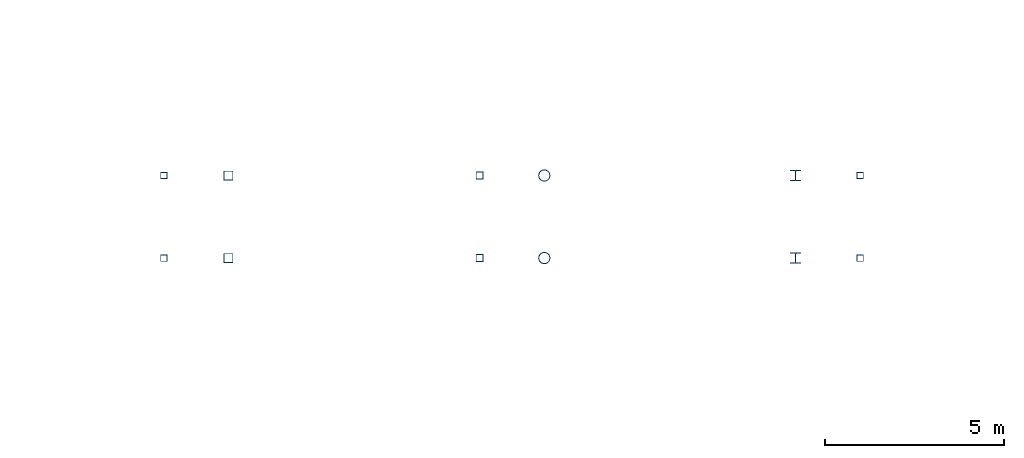
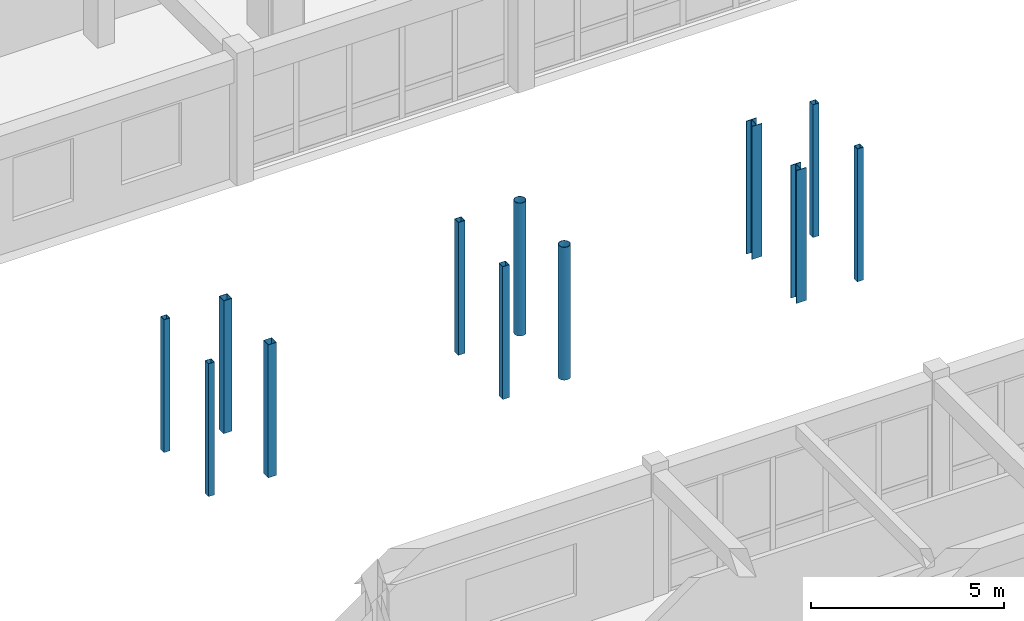
# One storey, part 22 of 90: 12 columns.
"""IFC4 building model written with IfcOpenShell, lengths in metres."""

from ifc_helpers import new_model, si_unit, direction, frame, origin, origin_2d, place, context, subcontext, project, spatial, hollow_rectangle, hollow_circle, i_section, extrude, material, material_profile, profile_set, type_object, element, save


model = new_model("IFC4")

# Units and contexts
model_context = context("Model", 3, precision=1e-05, world=origin(), true_north=direction((0.0, 1.0)))
body_context = subcontext(model_context, "Body", "Model", "MODEL_VIEW")
ifc_project = project(units=[si_unit("LENGTHUNIT", "METRE"), si_unit("AREAUNIT", "SQUARE_METRE"), si_unit("VOLUMEUNIT", "CUBIC_METRE"), si_unit("PLANEANGLEUNIT", "RADIAN"), si_unit("MASSUNIT", "GRAM", prefix="KILO")], contexts=[model_context])

# Site, building, storey
site_placement = place(None, origin())
site = spatial("IfcSite", under=ifc_project, at=site_placement, CompositionType="ELEMENT")
building_placement = place(site_placement, origin())
building = spatial("IfcBuilding", under=site, at=building_placement, Name="Malvenik Polytechnic", CompositionType="ELEMENT")
storey_placement = place(building_placement, frame((0.0, 0.0, 9.300048828125)))
storey = spatial("IfcBuildingStorey", under=building, at=storey_placement, Name="L02", CompositionType="ELEMENT", Elevation=9.300048828125)

# Columns
ifc_material_1 = material(Name="Steel S355J2H", Category="steel")
ifc_material_profile_1 = material_profile(ifc_material_1, hollow_rectangle(XDim=0.25, YDim=0.25, WallThickness=0.010009765625, at=origin_2d()), Name="SHS 250x250x10.0")
ifc_profile_set_1 = profile_set([ifc_material_profile_1], Name="Steel S355J2H")
column_type_1 = type_object("IfcColumnType", Name="STR-SCOL-SC-01", PredefinedType="COLUMN", material=ifc_profile_set_1)
for number, where, z_axis, x_axis, name in (
    (1, (103.199951171875, 103.14990234375, 0.0), (0.0, 0.0, 1.0), (1.0, 0.0, 0.0), "Bridge-Ramp Support Column SC-01 L02"),
    (2, (103.199951171875, 105.449951171875, 0.0), (0.0, 0.0, 1.0), (1.0, 0.0, 0.0), "Bridge-Ramp Support Column SC-01 L02"),
):
    element("IfcColumn", number, at=place(storey_placement, frame(where, z_axis=z_axis, x_axis=x_axis)), inside=storey, type_object=column_type_1, Name=name, PredefinedType="COLUMN", context=body_context, shape_type="SweptSolid", body=[
        extrude(hollow_rectangle(XDim=0.25, YDim=0.25, WallThickness=0.010009765625, at=origin_2d()), origin(), (0.0, 0.0, 1.0), 4.199951171875),
    ])
ifc_material_profile_2 = material_profile(ifc_material_1, hollow_rectangle(XDim=0.199951171875, YDim=0.199951171875, WallThickness=0.010009765625, at=origin_2d()), Name="SHS 200x200x10.0")
ifc_profile_set_2 = profile_set([ifc_material_profile_2], Name="Steel S355J2H")
column_type_2 = type_object("IfcColumnType", Name="STR-SCOL-SC-02", PredefinedType="COLUMN", material=ifc_profile_set_2)
for number, where, z_axis, x_axis, name in (
    (3, (110.199951171875, 103.14990234375, 0.0), (0.0, 0.0, 1.0), (1.0, 0.0, 0.0), "Bridge-Ramp Support Column SC-02 L02"),
    (4, (110.199951171875, 105.449951171875, 0.0), (0.0, 0.0, 1.0), (1.0, 0.0, 0.0), "Bridge-Ramp Support Column SC-02 L02"),
):
    element("IfcColumn", number, at=place(storey_placement, frame(where, z_axis=z_axis, x_axis=x_axis)), inside=storey, type_object=column_type_2, Name=name, PredefinedType="COLUMN", context=body_context, shape_type="SweptSolid", body=[
        extrude(hollow_rectangle(XDim=0.199951171875, YDim=0.199951171875, WallThickness=0.010009765625, at=origin_2d()), origin(), (0.0, 0.0, 1.0), 4.199951171875),
    ])
ifc_material_profile_3 = material_profile(ifc_material_1, hollow_circle(Radius=0.161865234375, WallThickness=0.012451171875, at=origin_2d()), Name="CHS 323.9x12.5")
ifc_profile_set_3 = profile_set([ifc_material_profile_3], Name="Steel S355J2H")
column_type_3 = type_object("IfcColumnType", Name="STR-SCOL-SC-04", PredefinedType="COLUMN", material=ifc_profile_set_3)
for number, where, z_axis, x_axis, name in (
    (5, (112.0, 103.14990234375, 0.0), (0.0, 0.0, 1.0), (1.0, 0.0, 0.0), "Bridge-Ramp Support Column SC-04 L02"),
    (6, (112.0, 105.449951171875, 0.0), (0.0, 0.0, 1.0), (1.0, 0.0, 0.0), "Bridge-Ramp Support Column SC-04 L02"),
):
    element("IfcColumn", number, at=place(storey_placement, frame(where, z_axis=z_axis, x_axis=x_axis)), inside=storey, type_object=column_type_3, Name=name, PredefinedType="COLUMN", context=body_context, shape_type="SweptSolid", body=[
        extrude(hollow_circle(Radius=0.161865234375, WallThickness=0.012451171875, at=origin_2d()), origin(), (0.0, 0.0, 1.0), 4.199951171875),
    ])
ifc_material_2 = material(Name="Steel S355", Category="steel")
ifc_material_profile_4 = material_profile(ifc_material_2, i_section(OverallWidth=0.300048828125, OverallDepth=0.300048828125, WebThickness=0.010986328125, FlangeThickness=0.01904296875, FilletRadius=0.027099609375, at=origin_2d()), Name="HEB 300")
ifc_profile_set_4 = profile_set([ifc_material_profile_4], Name="Steel S355")
column_type_4 = type_object("IfcColumnType", Name="STR-SCOL-SC-05", PredefinedType="COLUMN", material=ifc_profile_set_4)
for number, where, z_axis, x_axis, name in (
    (7, (119.0, 103.14990234375, 0.0), (0.0, 0.0, 1.0), (1.0, 0.0, 0.0), "Bridge-Ramp Support Column SC-05 L02"),
    (8, (119.0, 105.449951171875, 0.0), (0.0, 0.0, 1.0), (1.0, 0.0, 0.0), "Bridge-Ramp Support Column SC-05 L02"),
):
    element("IfcColumn", number, at=place(storey_placement, frame(where, z_axis=z_axis, x_axis=x_axis)), inside=storey, type_object=column_type_4, Name=name, PredefinedType="COLUMN", context=body_context, shape_type="SweptSolid", body=[
        extrude(i_section(OverallWidth=0.300048828125, OverallDepth=0.300048828125, WebThickness=0.010986328125, FlangeThickness=0.01904296875, FilletRadius=0.027099609375, at=origin_2d()), origin(), (0.0, 0.0, 1.0), 4.199951171875),
    ])
ifc_material_profile_5 = material_profile(ifc_material_1, hollow_rectangle(XDim=0.179931640625, YDim=0.179931640625, WallThickness=0.008056640625, at=origin_2d()), Name="SHS 180x180x8.0")
ifc_profile_set_5 = profile_set([ifc_material_profile_5], Name="Steel S355J2H")
column_type_5 = type_object("IfcColumnType", Name="STR-SCOL-SC-06", PredefinedType="COLUMN", material=ifc_profile_set_5)
for number, where, z_axis, x_axis, name in (
    (9, (101.39990234375, 103.14990234375, 0.0), (0.0, 0.0, 1.0), (1.0, 0.0, 0.0), "Bridge-Ramp Support Column SC-06 L02"),
    (10, (101.39990234375, 105.449951171875, 0.0), (0.0, 0.0, 1.0), (1.0, 0.0, 0.0), "Bridge-Ramp Support Column SC-06 L02"),
    (11, (120.800048828125, 103.14990234375, 0.0), (0.0, 0.0, 1.0), (1.0, 0.0, 0.0), "Bridge-Ramp Support Column SC-06 L02"),
    (12, (120.800048828125, 105.449951171875, 0.0), (0.0, 0.0, 1.0), (1.0, 0.0, 0.0), "Bridge-Ramp Support Column SC-06 L02"),
):
    element("IfcColumn", number, at=place(storey_placement, frame(where, z_axis=z_axis, x_axis=x_axis)), inside=storey, type_object=column_type_5, Name=name, PredefinedType="COLUMN", context=body_context, shape_type="SweptSolid", body=[
        extrude(hollow_rectangle(XDim=0.179931640625, YDim=0.179931640625, WallThickness=0.008056640625, at=origin_2d()), origin(), (0.0, 0.0, 1.0), 4.199951171875),
    ])

save(model, "model.ifc")
